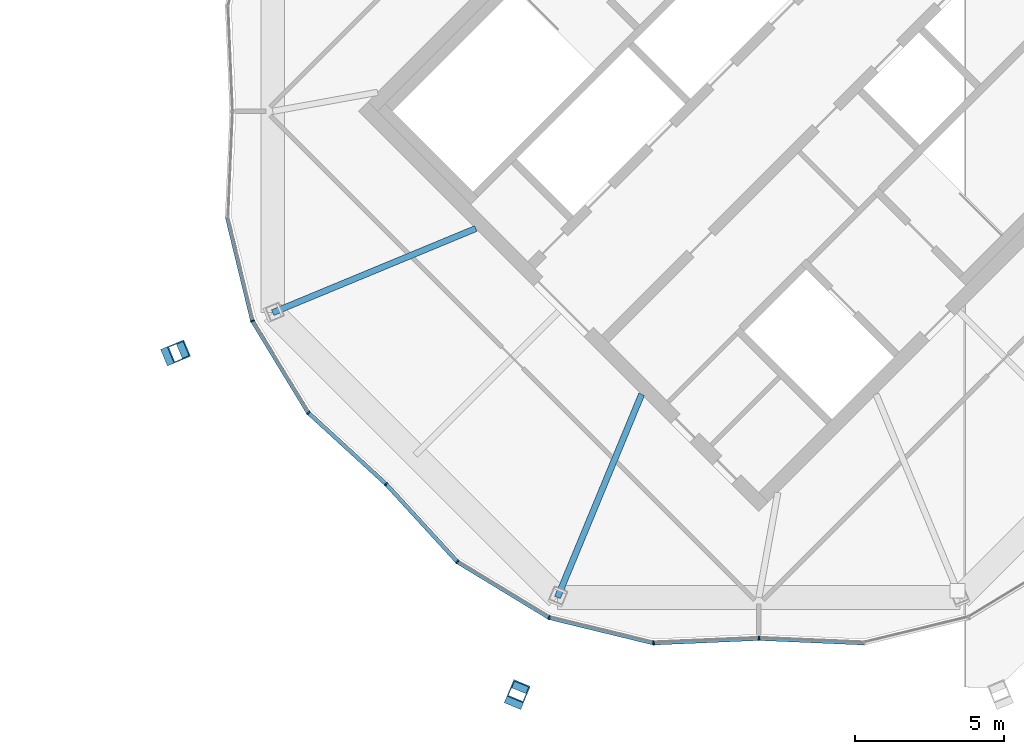
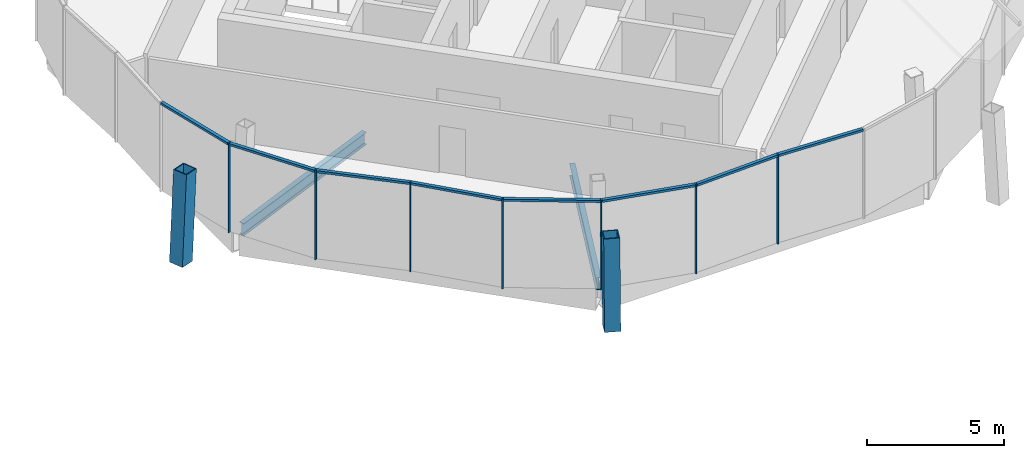
# One storey, part 10 of 23: 17 members, 2 beams, 3 elements without a shape of their own.
"""IFC4 building model written with IfcOpenShell, lengths in metres."""

import ifcopenshell
import ifcopenshell.guid

model = None  # the IFC model being written
_history = None  # IfcOwnerHistory: only IFC2X3 demands one
_inside = {}  # id of a spatial element -> (the spatial element, [elements in it])
_under = {}  # id of a project, library or spatial element -> (it, [spatial elements below it])
_declared = {}  # id of a project -> (the project, [libraries it declares])
_typed = {}  # id of a type object -> (the type object, [elements of that type])
_made_of = {}  # id of a material, layer set ... -> (it, [elements and type objects made of it])


def new_model(schema):
    """Start an empty IFC model of exactly this schema.

    Asked for "IFC4X3", IfcOpenShell would pick the latest addendum, in which some entities
    have other attributes; the version numbers below select the first issue.
    IFC2X3 requires an IfcOwnerHistory on every rooted entity: one is made here for all.
    """
    global model, _history
    if schema == "IFC4X3":
        model = ifcopenshell.file(schema_version=(4, 3, 0, 0))
    else:
        model = ifcopenshell.file(schema=schema)
    _inside.clear()
    _under.clear()
    _declared.clear()
    _typed.clear()
    _made_of.clear()
    _history = None
    if model.schema == "IFC2X3":
        org = make("IfcOrganization", Name="unknown")
        user = make(
            "IfcPersonAndOrganization",
            ThePerson=make("IfcPerson", FamilyName="unknown"),
            TheOrganization=org,
        )
        app = make(
            "IfcApplication",
            ApplicationDeveloper=org,
            Version="unknown",
            ApplicationFullName="unknown",
            ApplicationIdentifier="unknown",
        )
        _history = make(
            "IfcOwnerHistory",
            OwningUser=user,
            OwningApplication=app,
            ChangeAction="ADDED",
            CreationDate=0,
        )
    return model


def make(cls, **values):
    """One entity of the class cls with the attributes given. An attribute that is None is left unset."""
    return model.create_entity(
        cls, **{name: value for name, value in values.items() if value is not None}
    )


def rooted(cls, **values):
    """An entity with a GlobalId (a new one), such as an element, a storey or a relation."""
    return make(cls, GlobalId=ifcopenshell.guid.new(), OwnerHistory=_history, **values)


def si_unit(unit_type, name, prefix=None):
    """IfcSIUnit, for example si_unit("LENGTHUNIT", "METRE", prefix="MILLI")."""
    return make("IfcSIUnit", UnitType=unit_type, Prefix=prefix, Name=name)


def assignment(units):
    """IfcUnitAssignment: the units of a project."""
    return None if units is None else make("IfcUnitAssignment", Units=units)


def point(xyz):
    """IfcCartesianPoint."""
    return None if xyz is None else make("IfcCartesianPoint", Coordinates=xyz)


def direction(xyz):
    """IfcDirection."""
    return None if xyz is None else make("IfcDirection", DirectionRatios=xyz)


def frame(location, z_axis=None, x_axis=None):
    """IfcAxis2Placement3D, a coordinate frame: its origin and axes. An axis left out is left unset."""
    return make(
        "IfcAxis2Placement3D",
        Location=point(location),
        Axis=direction(z_axis),
        RefDirection=direction(x_axis),
    )


def frame_2d(location, x_axis=None):
    """IfcAxis2Placement2D, a coordinate frame in the plane: its origin and x axis."""
    return make(
        "IfcAxis2Placement2D", Location=point(location), RefDirection=direction(x_axis)
    )


def origin():
    """The frame at (0, 0, 0) with its axes left unset."""
    return frame((0.0, 0.0, 0.0))


def origin_2d():
    """The frame at (0, 0) in the plane with its x axis left unset."""
    return frame_2d((0.0, 0.0))


def place(relative_to, where):
    """IfcLocalPlacement: puts the frame where relative to a parent placement (None: the world)."""
    return make(
        "IfcLocalPlacement", PlacementRelTo=relative_to, RelativePlacement=where
    )


def context(
    kind, dimensions, precision=None, world=None, true_north=None, identifier=None
):
    """IfcGeometricRepresentationContext, for example the 3D "Model" context."""
    return make(
        "IfcGeometricRepresentationContext",
        ContextIdentifier=identifier,
        ContextType=kind,
        CoordinateSpaceDimension=dimensions,
        Precision=precision,
        WorldCoordinateSystem=world,
        TrueNorth=true_north,
    )


def subcontext(parent, identifier, kind, view, scale=None):
    """IfcGeometricRepresentationSubContext, for example "Body" below "Model"."""
    return make(
        "IfcGeometricRepresentationSubContext",
        ContextIdentifier=identifier,
        ContextType=kind,
        ParentContext=parent,
        TargetScale=scale,
        TargetView=view,
    )


def project(units=None, contexts=None):
    """IfcProject with its units and contexts."""
    return rooted(
        "IfcProject",
        Name="project",
        RepresentationContexts=contexts,
        UnitsInContext=assignment(units),
    )


def spatial(cls, under=None, at=None, **own):
    """A site, building, storey or space (cls), placed at a placement, below another one or the project."""
    s = rooted(cls, ObjectPlacement=at, **own)
    if under is not None:
        _under.setdefault(under.id(), (under, []))[1].append(s)
    return s


def profile(cls, at=None, kind="AREA", **sizes):
    """A parametric profile (cls). Its sizes go by their IFC names, for example OverallWidth=200.0."""
    return make(cls, ProfileType=kind, Position=at, **sizes)


def rectangle(**sizes):
    """IfcRectangleProfileDef."""
    return profile("IfcRectangleProfileDef", **sizes)


def hollow_rectangle(**sizes):
    """IfcRectangleHollowProfileDef."""
    return profile("IfcRectangleHollowProfileDef", **sizes)


def i_section(**sizes):
    """IfcIShapeProfileDef."""
    return profile("IfcIShapeProfileDef", **sizes)


def extrude(swept, where, along, depth):
    """IfcExtrudedAreaSolid: the profile swept, set in the frame where, extruded along a direction by depth."""
    return make(
        "IfcExtrudedAreaSolid",
        SweptArea=swept,
        Position=where,
        ExtrudedDirection=direction(along),
        Depth=depth,
    )


def shape(context_of_items, identifier, shape_type, items):
    """IfcShapeRepresentation: the items that make up one representation, for example the "Body"."""
    return make(
        "IfcShapeRepresentation",
        ContextOfItems=context_of_items,
        RepresentationIdentifier=identifier,
        RepresentationType=shape_type,
        Items=items,
    )


def material(Name=None, Category=None):
    """IfcMaterial."""
    return make("IfcMaterial", Name=Name, Category=Category)


def material_profile(
    of_material, cross_section, Name=None, Category=None, Priority=None
):
    """IfcMaterialProfile: a cross section and its material."""
    return make(
        "IfcMaterialProfile",
        Name=Name,
        Material=of_material,
        Profile=cross_section,
        Priority=Priority,
        Category=Category,
    )


def profile_set(profiles, Name=None, composite=None):
    """IfcMaterialProfileSet."""
    return make(
        "IfcMaterialProfileSet",
        Name=Name,
        MaterialProfiles=profiles,
        CompositeProfile=composite,
    )


def made_of(thing, what):
    """Note that an element or type object is made of a material, layer set ...; save() writes the relation."""
    if what is not None:
        _made_of.setdefault(what.id(), (what, []))[1].append(thing)
    return thing


def type_object(cls, material=None, **own):
    """A type object (cls), such as IfcWallType, which elements share."""
    return made_of(rooted(cls, **own), material)


def element(
    cls,
    number,
    at=None,
    inside=None,
    cuts=None,
    type_object=None,
    material=None,
    context=None,
    identifier="Body",
    shape_type=None,
    held_by="IfcProductDefinitionShape",
    body=None,
    shapes=None,
    **own,
):
    """One element of the class cls, such as IfcWall. Its Tag is "e" and its number.

    at: its placement. inside: the storey or other place that contains it. cuts: it is an
    opening in that element (IfcRelVoidsElement). A single representation is given by context,
    identifier, shape_type and body (its items); several are given by shapes. held_by: the class
    of the entity that holds the representations. save() writes the other relations.
    """
    e = rooted(cls, Tag="e%d" % number, ObjectPlacement=at, **own)
    if body is not None:
        shapes = [shape(context, identifier, shape_type, body)]
    if shapes is not None:
        e.Representation = make(held_by, Representations=shapes)
    if inside is not None:
        _inside.setdefault(inside.id(), (inside, []))[1].append(e)
    if cuts is not None:
        rooted(
            "IfcRelVoidsElement", RelatingBuildingElement=cuts, RelatedOpeningElement=e
        )
    if type_object is not None:
        _typed.setdefault(type_object.id(), (type_object, []))[1].append(e)
    return made_of(e, material)


def aggregate(whole, parts):
    """IfcRelAggregates: a whole, such as a stair, and the parts it consists of."""
    return rooted("IfcRelAggregates", RelatingObject=whole, RelatedObjects=parts)


def save(model, path):
    """Write the relations noted so far, then the file.

    IfcRelAggregates (storeys below a building ...), IfcRelContainedInSpatialStructure (elements
    in a storey), IfcRelDefinesByType, IfcRelAssociatesMaterial and IfcRelDeclares: one each for
    every whole, place, type object, material and project.
    """
    for whole, parts in _under.values():
        aggregate(whole, parts)
    for where, things in _inside.values():
        rooted(
            "IfcRelContainedInSpatialStructure",
            RelatedElements=things,
            RelatingStructure=where,
        )
    for kind, things in _typed.values():
        rooted("IfcRelDefinesByType", RelatedObjects=things, RelatingType=kind)
    for what, things in _made_of.values():
        rooted("IfcRelAssociatesMaterial", RelatedObjects=things, RelatingMaterial=what)
    for by, libraries in _declared.values():
        rooted("IfcRelDeclares", RelatingContext=by, RelatedDefinitions=libraries)
    model.write(path)


model = new_model("IFC4")

# Units and contexts
model_context = context("Model", 3, precision=1e-05, world=origin(), true_north=direction((0.0, 1.0)))
body_context = subcontext(model_context, "Body", "Model", "MODEL_VIEW")
ifc_project = project(units=[si_unit("LENGTHUNIT", "METRE"), si_unit("AREAUNIT", "SQUARE_METRE"), si_unit("VOLUMEUNIT", "CUBIC_METRE"), si_unit("PLANEANGLEUNIT", "RADIAN"), si_unit("MASSUNIT", "GRAM", prefix="KILO")], contexts=[model_context])

# Site, building, storey
site_placement = place(None, origin())
site = spatial("IfcSite", under=ifc_project, at=site_placement, CompositionType="ELEMENT")
building_placement = place(site_placement, origin())
building = spatial("IfcBuilding", under=site, at=building_placement, Name="Ogive Gate Towers", CompositionType="ELEMENT")
storey_placement = place(building_placement, frame((0.0, 0.0, 302.0)))
storey = spatial("IfcBuildingStorey", under=building, at=storey_placement, Name="L71", CompositionType="ELEMENT", Elevation=302.0)

# Curtain wall, members
ifc_material_1 = material(Name="Pale metal aluminium", Category="aluminium")
curtain_wall_type = type_object("IfcCurtainWallType", Name="Crown lean wall", PredefinedType="NOTDEFINED", material=ifc_material_1)
curtain_wall_1_placement = place(storey_placement, origin())
curtain_wall_1 = element("IfcCurtainWall", 1, at=curtain_wall_1_placement, inside=storey, type_object=curtain_wall_type, Name="CW5 T2 ECW05", PredefinedType="NOTDEFINED")
ifc_material_profile_1 = material_profile(ifc_material_1, rectangle(XDim=0.139892578125, YDim=0.050048828125, at=origin_2d()), Name="50 x 140 aluminium box")
ifc_profile_set_1 = profile_set([ifc_material_profile_1], Name="Pale metal aluminium")
member_type_1 = type_object("IfcMemberType", Name="Crown lean wall mullion 50 x 140", PredefinedType="MULLION", material=ifc_profile_set_1)
member_1_placement = place(storey_placement, frame((23.488525390625, -12.51318359375, -0.300048828125), z_axis=(0.0, 0.0, 1.0), x_axis=(0.675796067943, 0.737088647689, 0.0)))
member_1 = element("IfcMember", 2, at=member_1_placement, type_object=member_type_1, Name="CW5 mullion", PredefinedType="MULLION", context=body_context, shape_type="SweptSolid", body=[
    extrude(rectangle(XDim=0.139892578125, YDim=0.050048828125, at=origin_2d()), origin(), (0.0, 0.0, 1.0), 4.0),
])
member_2_placement = place(storey_placement, frame((20.87841796875, -10.119384765625, -0.300048828125), z_axis=(0.0, 0.0, 1.0), x_axis=(0.772689259065, 0.634784458636, 0.0)))
member_2 = element("IfcMember", 3, at=member_2_placement, type_object=member_type_1, Name="CW5 mullion", PredefinedType="MULLION", context=body_context, shape_type="SweptSolid", body=[
    extrude(rectangle(XDim=0.139892578125, YDim=0.050048828125, at=origin_2d()), origin(), (0.0, 0.0, 1.0), 4.0),
])
member_3_placement = place(storey_placement, frame((19.004150390625, -7.039794921875, -0.300048828125), z_axis=(0.0, 0.0, 1.0), x_axis=(0.923879532511, 0.382683432365, 0.0)))
member_3 = element("IfcMember", 4, at=member_3_placement, type_object=member_type_1, Name="CW5 mullion", PredefinedType="MULLION", context=body_context, shape_type="SweptSolid", body=[
    extrude(rectangle(XDim=0.139892578125, YDim=0.050048828125, at=origin_2d()), origin(), (0.0, 0.0, 1.0), 4.0),
])

curtain_wall_2_placement = place(storey_placement, origin())
curtain_wall_2 = element("IfcCurtainWall", 5, at=curtain_wall_2_placement, inside=storey, type_object=curtain_wall_type, Name="CW5 T2 ECW06", PredefinedType="NOTDEFINED")
member_4_placement = place(storey_placement, frame((36.001220703125, -17.695068359375, -0.300048828125), z_axis=(0.0, 0.0, 1.0), x_axis=(-0.043340398775, 0.999060363459, 0.0)))
member_4 = element("IfcMember", 6, at=member_4_placement, type_object=member_type_1, Name="CW5 mullion", PredefinedType="MULLION", context=body_context, shape_type="SweptSolid", body=[
    extrude(rectangle(XDim=0.139892578125, YDim=0.050048828125, at=origin_2d()), origin(), (0.0, 0.0, 1.0), 4.0),
])
member_5_placement = place(storey_placement, frame((32.462890625, -17.848388671875, -0.300048828125), z_axis=(0.0, 0.0, 1.0), x_axis=(0.097513419542, 0.995234210128, 0.0)))
member_5 = element("IfcMember", 7, at=member_5_placement, type_object=member_type_1, Name="CW5 mullion", PredefinedType="MULLION", context=body_context, shape_type="SweptSolid", body=[
    extrude(rectangle(XDim=0.139892578125, YDim=0.050048828125, at=origin_2d()), origin(), (0.0, 0.0, 1.0), 4.0),
])
member_6_placement = place(storey_placement, frame((28.960205078125, -16.995849609375, -0.300048828125), z_axis=(0.0, 0.0, 1.0), x_axis=(0.382683432365, 0.923879532511, 0.0)))
member_6 = element("IfcMember", 8, at=member_6_placement, type_object=member_type_1, Name="CW5 mullion", PredefinedType="MULLION", context=body_context, shape_type="SweptSolid", body=[
    extrude(rectangle(XDim=0.139892578125, YDim=0.050048828125, at=origin_2d()), origin(), (0.0, 0.0, 1.0), 4.0),
])
member_7_placement = place(storey_placement, frame((25.880615234375, -15.12158203125, -0.300048828125), z_axis=(0.0, 0.0, 1.0), x_axis=(0.634784458636, 0.772689259065, 0.0)))
member_7 = element("IfcMember", 9, at=member_7_placement, type_object=member_type_1, Name="CW5 mullion", PredefinedType="MULLION", context=body_context, shape_type="SweptSolid", body=[
    extrude(rectangle(XDim=0.139892578125, YDim=0.050048828125, at=origin_2d()), origin(), (0.0, 0.0, 1.0), 4.0),
])

# Member
ifc_material_profile_2 = material_profile(ifc_material_1, rectangle(XDim=0.139892578125, YDim=0.10009765625, at=origin_2d()), Name="100 x 140 aluminium box")
ifc_profile_set_2 = profile_set([ifc_material_profile_2], Name="Pale metal aluminium")
member_type_2 = type_object("IfcMemberType", Name="Crown lean wall transom 100 x 140", PredefinedType="USERDEFINED", material=ifc_profile_set_2)
member_8_placement = place(storey_placement, frame((23.47021484375, -12.496337890625, 3.64990234375), z_axis=(-0.73706986576, 0.675816552763, 0.0), x_axis=(-0.675816552763, -0.73706986576, 0.0)))
member_8 = element("IfcMember", 10, at=member_8_placement, type_object=member_type_2, Name="CW5 transom", ObjectType="TRANSOM", PredefinedType="USERDEFINED", context=body_context, shape_type="SweptSolid", body=[
    extrude(rectangle(XDim=0.139892578125, YDim=0.10009765625, at=origin_2d()), origin(), (0.0, 0.0, 1.0), 3.487548828125),
])

member_9_placement = place(storey_placement, frame((20.86279296875, -10.0947265625, 3.64990234375), z_axis=(-0.51986176427, 0.854250400088, 0.0), x_axis=(-0.854250400088, -0.51986176427, 0.0)))
member_9 = element("IfcMember", 11, at=member_9_placement, type_object=member_type_2, Name="CW5 transom", ObjectType="TRANSOM", PredefinedType="USERDEFINED", context=body_context, shape_type="SweptSolid", body=[
    extrude(rectangle(XDim=0.139892578125, YDim=0.10009765625, at=origin_2d()), origin(), (0.0, 0.0, 1.0), 3.546142578125),
])

member_10_placement = place(storey_placement, frame((18.99658203125, -7.01123046875, 3.64990234375), z_axis=(-0.236358606487, 0.971665893782, 0.0), x_axis=(-0.971665893782, -0.236358606487, 0.0)))
member_10 = element("IfcMember", 12, at=member_10_placement, type_object=member_type_2, Name="CW5 transom", ObjectType="TRANSOM", PredefinedType="USERDEFINED", context=body_context, shape_type="SweptSolid", body=[
    extrude(rectangle(XDim=0.139892578125, YDim=0.10009765625, at=origin_2d()), origin(), (0.0, 0.0, 1.0), 3.546142578125),
])

aggregate(curtain_wall_1, [member_1, member_2, member_8, member_3, member_9, member_10])

member_11_placement = place(storey_placement, frame((35.976318359375, -17.6962890625, 3.64990234375), z_axis=(-0.999060643989, -0.043333931654, 0.0), x_axis=(0.043333931654, -0.999060643989, 0.0)))
member_11 = element("IfcMember", 13, at=member_11_placement, type_object=member_type_2, Name="CW5 transom", ObjectType="TRANSOM", PredefinedType="USERDEFINED", context=body_context, shape_type="SweptSolid", body=[
    extrude(rectangle(XDim=0.139892578125, YDim=0.10009765625, at=origin_2d()), origin(), (0.0, 0.0, 1.0), 3.4873046875),
])

member_12_placement = place(storey_placement, frame((32.434326171875, -17.841552734375, 3.64990234375), z_axis=(-0.971665893782, 0.236358606487, 0.0), x_axis=(-0.236358606487, -0.971665893782, 0.0)))
member_12 = element("IfcMember", 14, at=member_12_placement, type_object=member_type_2, Name="CW5 transom", ObjectType="TRANSOM", PredefinedType="USERDEFINED", context=body_context, shape_type="SweptSolid", body=[
    extrude(rectangle(XDim=0.139892578125, YDim=0.10009765625, at=origin_2d()), origin(), (0.0, 0.0, 1.0), 3.546142578125),
])

member_13_placement = place(storey_placement, frame((28.9345703125, -16.980712890625, 3.64990234375), z_axis=(-0.854250400088, 0.51986176427, 0.0), x_axis=(-0.51986176427, -0.854250400088, 0.0)))
member_13 = element("IfcMember", 15, at=member_13_placement, type_object=member_type_2, Name="CW5 transom", ObjectType="TRANSOM", PredefinedType="USERDEFINED", context=body_context, shape_type="SweptSolid", body=[
    extrude(rectangle(XDim=0.139892578125, YDim=0.10009765625, at=origin_2d()), origin(), (0.0, 0.0, 1.0), 3.546142578125),
])

member_14_placement = place(storey_placement, frame((25.860595703125, -15.100341796875, 3.64990234375), z_axis=(-0.675816552763, 0.73706986576, 0.0), x_axis=(-0.73706986576, -0.675816552763, 0.0)))
member_14 = element("IfcMember", 16, at=member_14_placement, type_object=member_type_2, Name="CW5 transom", ObjectType="TRANSOM", PredefinedType="USERDEFINED", context=body_context, shape_type="SweptSolid", body=[
    extrude(rectangle(XDim=0.139892578125, YDim=0.10009765625, at=origin_2d()), origin(), (0.0, 0.0, 1.0), 3.487548828125),
])

aggregate(curtain_wall_2, [member_4, member_5, member_11, member_6, member_12, member_7, member_13, member_14])

# Curtain wall, member
curtain_wall_3_placement = place(storey_placement, origin())
curtain_wall_3 = element("IfcCurtainWall", 17, at=curtain_wall_3_placement, inside=storey, type_object=curtain_wall_type, Name="CW5 T2 ECW07", PredefinedType="NOTDEFINED")
member_15_placement = place(storey_placement, frame((39.5078125, -17.847412109375, 3.64990234375), z_axis=(-0.999060643989, 0.043333931654, 0.0), x_axis=(-0.043333931654, -0.999060643989, 0.0)))
member_15 = element("IfcMember", 18, at=member_15_placement, type_object=member_type_2, Name="CW5 transom", ObjectType="TRANSOM", PredefinedType="USERDEFINED", context=body_context, shape_type="SweptSolid", body=[
    extrude(rectangle(XDim=0.139892578125, YDim=0.10009765625, at=origin_2d()), origin(), (0.0, 0.0, 1.0), 3.4873046875),
])
aggregate(curtain_wall_3, [member_15])

# Members
ifc_material_2 = material(Name="Steel SM460", Category="steel")
ifc_material_profile_3 = material_profile(ifc_material_2, hollow_rectangle(XDim=0.60009765625, YDim=0.60009765625, WallThickness=0.0400390625, at=origin_2d()), Name="BX 600x600x40")
ifc_profile_set_3 = profile_set([ifc_material_profile_3], Name="Steel SM460")
member_type_3 = type_object("IfcMemberType", Name="Crown rib BX 600x600x40", PredefinedType="MEMBER", material=ifc_profile_set_3)
for number, where, z_axis, x_axis, name in (
    (19, (16.306884765625, -8.1572265625, 0.0), (0.056413057581, 0.02339375174, 0.998133407573), (-0.383056544411, 0.923724896159, 0.0), "T2/L71/STR004"),
    (20, (27.8427734375, -19.693115234375, 0.0), (0.02339375174, 0.056413057581, 0.998133407573), (-0.923724896159, 0.383056544411, 0.0), "T2/L71/STR005"),
):
    element("IfcMember", number, at=place(storey_placement, frame(where, z_axis=z_axis, x_axis=x_axis)), inside=storey, type_object=member_type_3, Name=name, PredefinedType="MEMBER", context=body_context, shape_type="SweptSolid", body=[
        extrude(hollow_rectangle(XDim=0.60009765625, YDim=0.60009765625, WallThickness=0.0400390625, at=origin_2d()), origin(), (0.0, 0.0, 1.0), 4.007568359375),
    ])

# Beams
ifc_material_3 = material(Name="Steel SM355", Category="steel")
ifc_material_profile_4 = material_profile(ifc_material_3, i_section(OverallWidth=0.2099609375, OverallDepth=0.550048828125, WebThickness=0.010986328125, FlangeThickness=0.01708984375, FilletRadius=0.02392578125, at=origin_2d()), Name="IPE 550")
ifc_profile_set_4 = profile_set([ifc_material_profile_4], Name="Steel SM355")
beam_type = type_object("IfcBeamType", Name="Radial floor beam IPE 550", PredefinedType="BEAM", material=ifc_profile_set_4)
for number, where, z_axis, x_axis, name in (
    (21, (26.5, -3.93505859375, -0.574951171875), (-0.923885028825, -0.38267016282, 0.0), (0.38267016282, -0.923885028825, 0.0), "T2/L71/SBM001"),
    (22, (32.06494140625, -9.5, -0.574951171875), (-0.38267016282, -0.923885028825, 0.0), (0.923885028825, -0.38267016282, 0.0), "T2/L71/SBM003"),
):
    element("IfcBeam", number, at=place(storey_placement, frame(where, z_axis=z_axis, x_axis=x_axis)), inside=storey, type_object=beam_type, Name=name, PredefinedType="BEAM", context=body_context, shape_type="SweptSolid", body=[
        extrude(i_section(OverallWidth=0.2099609375, OverallDepth=0.550048828125, WebThickness=0.010986328125, FlangeThickness=0.01708984375, FilletRadius=0.02392578125, at=origin_2d()), origin(), (0.0, 0.0, 1.0), 7.38232421875),
    ])

save(model, "model.ifc")
